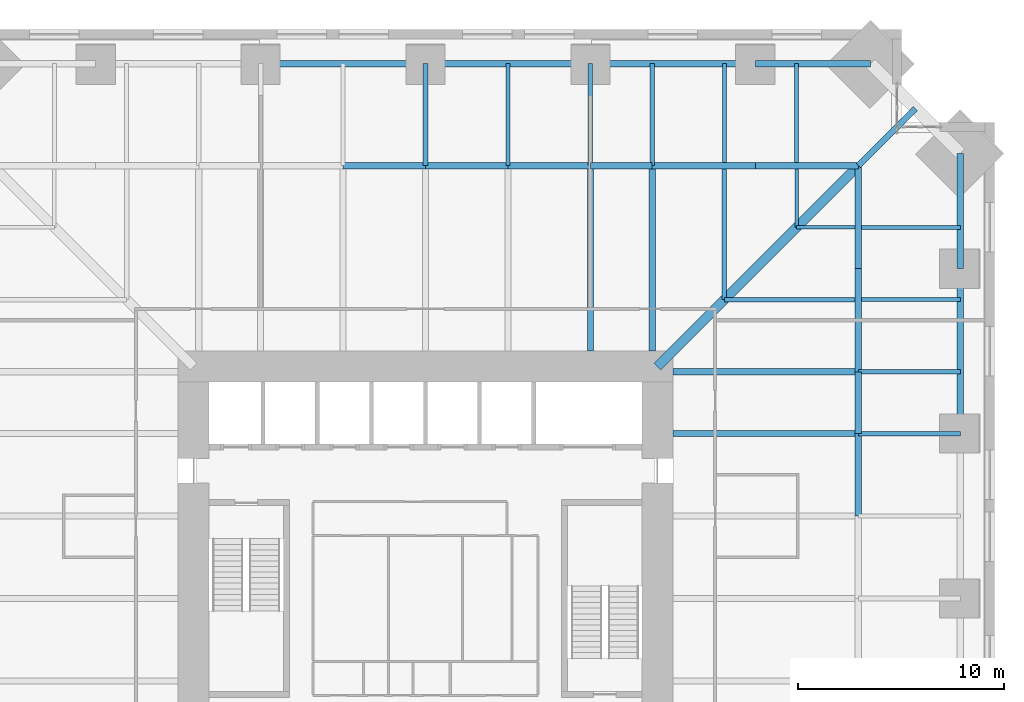
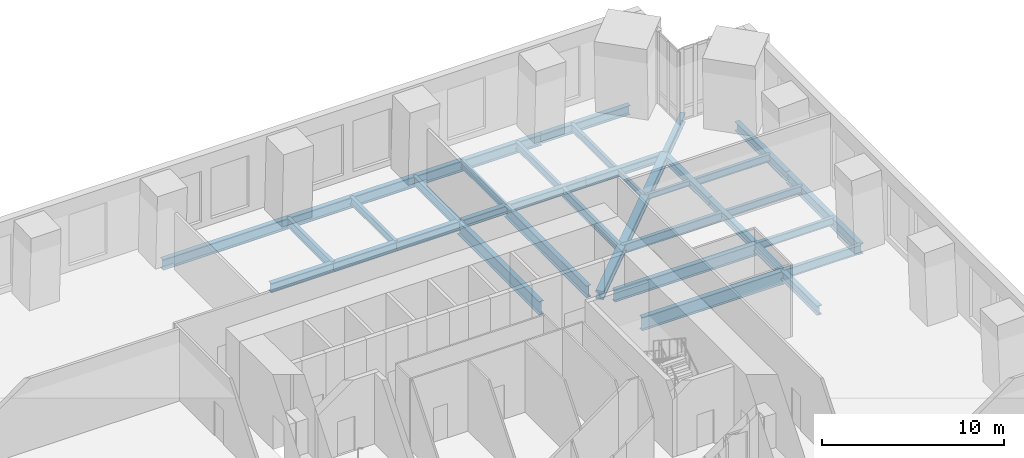
# One storey, part 7 of 18: 36 beams.
"""IFC4 building model written with IfcOpenShell, lengths in metres."""

from ifc_helpers import new_model, si_unit, direction, frame, origin, origin_2d, place, context, subcontext, project, spatial, i_section, extrude, material, material_profile, profile_set, type_object, element, save


model = new_model("IFC4")

# Units and contexts
model_context = context("Model", 3, precision=1e-05, world=origin(), true_north=direction((0.0, 1.0)))
body_context = subcontext(model_context, "Body", "Model", "MODEL_VIEW")
ifc_project = project(units=[si_unit("LENGTHUNIT", "METRE"), si_unit("AREAUNIT", "SQUARE_METRE"), si_unit("VOLUMEUNIT", "CUBIC_METRE"), si_unit("PLANEANGLEUNIT", "RADIAN"), si_unit("MASSUNIT", "GRAM", prefix="KILO")], contexts=[model_context])

# Site, building, storey
site_placement = place(None, origin())
site = spatial("IfcSite", under=ifc_project, at=site_placement, CompositionType="ELEMENT")
building_placement = place(site_placement, origin())
building = spatial("IfcBuilding", under=site, at=building_placement, Name="Peilmerk Tower", CompositionType="ELEMENT")
storey_placement = place(building_placement, frame((0.0, 0.0, 122.800048828125)))
storey = spatial("IfcBuildingStorey", under=building, at=storey_placement, Name="L24", CompositionType="ELEMENT", Elevation=122.800048828125)

# Beams
ifc_material_1 = material(Name="Steel S355", Category="steel")
ifc_material_profile_1 = material_profile(ifc_material_1, i_section(OverallWidth=0.219970703125, OverallDepth=0.60009765625, WebThickness=0.011962890625, FlangeThickness=0.01904296875, at=origin_2d()), Name="IPE 600")
ifc_profile_set_1 = profile_set([ifc_material_profile_1], Name="Steel S355")
beam_type_1 = type_object("IfcBeamType", Name="B10 IPE 600 floor beam", PredefinedType="BEAM", material=ifc_profile_set_1)
for number, where, z_axis, x_axis, name in (
    (1, (8.0, 21.0, -0.5), (0.0, 1.0, 0.0), (-1.0, 0.0, 0.0), "Floor girder L24"),
    (2, (0.0, 21.0, -0.5), (0.0, 1.0, 0.0), (-1.0, 0.0, 0.0), "Floor girder L24"),
    (3, (21.0, 8.0, -0.5), (1.0, 0.0, 0.0), (0.0, 1.0, 0.0), "Floor girder L24"),
):
    element("IfcBeam", number, at=place(storey_placement, frame(where, z_axis=z_axis, x_axis=x_axis)), inside=storey, type_object=beam_type_1, Name=name, PredefinedType="BEAM", context=body_context, shape_type="SweptSolid", body=[
        extrude(i_section(OverallWidth=0.219970703125, OverallDepth=0.60009765625, WebThickness=0.011962890625, FlangeThickness=0.01904296875, at=origin_2d()), origin(), (0.0, 0.0, 1.0), 4.945068359375),
    ])
for number, where, z_axis, x_axis, name in (
    (4, (14.5, 14.5, -0.5), (0.0, 1.0, 0.0), (-1.0, 0.0, 0.0), "Floor beam L24"),
    (5, (14.5, 14.5, -0.5), (1.0, 0.0, 0.0), (0.0, 1.0, 0.0), "Floor beam L24"),
):
    element("IfcBeam", number, at=place(storey_placement, frame(where, z_axis=z_axis, x_axis=x_axis)), inside=storey, type_object=beam_type_1, Name=name, PredefinedType="BEAM", context=body_context, shape_type="SweptSolid", body=[
        extrude(i_section(OverallWidth=0.219970703125, OverallDepth=0.60009765625, WebThickness=0.011962890625, FlangeThickness=0.01904296875, at=origin_2d()), origin(), (0.0, 0.0, 1.0), 6.346923828125),
    ])
ifc_material_profile_2 = material_profile(ifc_material_1, i_section(OverallWidth=0.169921875, OverallDepth=0.360107421875, WebThickness=0.008056640625, FlangeThickness=0.0126953125, at=origin_2d()), Name="IPE 360")
ifc_profile_set_2 = profile_set([ifc_material_profile_2], Name="Steel S355")
beam_type_2 = type_object("IfcBeamType", Name="B11 IPE 360 floor beam", PredefinedType="BEAM", material=ifc_profile_set_2)
for number, where, z_axis, x_axis, name in (
    (6, (18.0, 18.0, -0.380126953125), (0.0, 1.0, 0.0), (-1.0, 0.0, 0.0), "Floor beam L24"),
    (7, (18.0, 18.0, -0.380126953125), (1.0, 0.0, 0.0), (0.0, 1.0, 0.0), "Floor beam L24"),
):
    element("IfcBeam", number, at=place(storey_placement, frame(where, z_axis=z_axis, x_axis=x_axis)), inside=storey, type_object=beam_type_2, Name=name, PredefinedType="BEAM", context=body_context, shape_type="SweptSolid", body=[
        extrude(i_section(OverallWidth=0.169921875, OverallDepth=0.360107421875, WebThickness=0.008056640625, FlangeThickness=0.0126953125, at=origin_2d()), origin(), (0.0, 0.0, 1.0), 2.846923828125),
    ])
ifc_material_profile_3 = material_profile(ifc_material_1, i_section(OverallWidth=0.300048828125, OverallDepth=0.7900390625, WebThickness=0.014892578125, FlangeThickness=0.028076171875, at=origin_2d()), Name="HEA 800")
ifc_profile_set_3 = profile_set([ifc_material_profile_3], Name="Steel S355")
beam_type_3 = type_object("IfcBeamType", Name="B3 HEA 800 floor beam", PredefinedType="BEAM", material=ifc_profile_set_3)
for number, where, z_axis, x_axis, name in (
    (8, (11.0, 12.0, -0.594970703125), (0.0, 1.0, 0.0), (-1.0, 0.0, 0.0), "Floor beam L24"),
    (9, (12.0, 11.0, -0.594970703125), (1.0, 0.0, 0.0), (0.0, 1.0, 0.0), "Floor beam L24"),
):
    element("IfcBeam", number, at=place(storey_placement, frame(where, z_axis=z_axis, x_axis=x_axis)), inside=storey, type_object=beam_type_3, Name=name, PredefinedType="BEAM", context=body_context, shape_type="SweptSolid", body=[
        extrude(i_section(OverallWidth=0.300048828125, OverallDepth=0.7900390625, WebThickness=0.014892578125, FlangeThickness=0.028076171875, at=origin_2d()), origin(), (0.0, 0.0, 1.0), 9.0),
    ])
ifc_material_profile_4 = material_profile(ifc_material_1, i_section(OverallWidth=0.303955078125, OverallDepth=0.716064453125, WebThickness=0.02099609375, FlangeThickness=0.0400390625, at=origin_2d()), Name="HEM 700")
ifc_profile_set_4 = profile_set([ifc_material_profile_4], Name="Steel S355")
beam_type_4 = type_object("IfcBeamType", Name="B30 HEM 700 edge beam", PredefinedType="SPANDREL", material=ifc_profile_set_4)
for number, where, z_axis, x_axis, name in (
    (10, (16.0, 25.945068359375, -0.55810546875), (-1.0, 0.0, 0.0), (0.0, -1.0, 0.0), "Edge beam L24"),
    (11, (8.0, 25.945068359375, -0.55810546875), (-1.0, 0.0, 0.0), (0.0, -1.0, 0.0), "Edge beam L24"),
    (12, (0.0, 25.945068359375, -0.55810546875), (-1.0, 0.0, 0.0), (0.0, -1.0, 0.0), "Edge beam L24"),
    (13, (25.945068359375, 8.0, -0.55810546875), (0.0, 1.0, 0.0), (-1.0, 0.0, 0.0), "Edge beam L24"),
):
    element("IfcBeam", number, at=place(storey_placement, frame(where, z_axis=z_axis, x_axis=x_axis)), inside=storey, type_object=beam_type_4, Name=name, PredefinedType="SPANDREL", context=body_context, shape_type="SweptSolid", body=[
        extrude(i_section(OverallWidth=0.303955078125, OverallDepth=0.716064453125, WebThickness=0.02099609375, FlangeThickness=0.0400390625, at=origin_2d()), origin(), (0.0, 0.0, 1.0), 8.0),
    ])
ifc_material_profile_5 = material_profile(ifc_material_1, i_section(OverallWidth=0.304931640625, OverallDepth=0.6201171875, WebThickness=0.02099609375, FlangeThickness=0.0400390625, at=origin_2d()), Name="HEM 600")
ifc_profile_set_5 = profile_set([ifc_material_profile_5], Name="Steel S355")
beam_type_5 = type_object("IfcBeamType", Name="B31 HEM 600 edge beam", PredefinedType="SPANDREL", material=ifc_profile_set_5)
for number, where, z_axis, x_axis, name in (
    (14, (21.59521484375, 25.945068359375, -0.510009765625), (-1.0, 0.0, 0.0), (0.0, -1.0, 0.0), "Edge beam L24"),
    (15, (25.945068359375, 16.0, -0.510009765625), (0.0, 1.0, 0.0), (-1.0, 0.0, 0.0), "Edge beam L24"),
):
    element("IfcBeam", number, at=place(storey_placement, frame(where, z_axis=z_axis, x_axis=x_axis)), inside=storey, type_object=beam_type_5, Name=name, PredefinedType="SPANDREL", context=body_context, shape_type="SweptSolid", body=[
        extrude(i_section(OverallWidth=0.304931640625, OverallDepth=0.6201171875, WebThickness=0.02099609375, FlangeThickness=0.0400390625, at=origin_2d()), origin(), (0.0, 0.0, 1.0), 5.59521484375),
    ])
ifc_material_profile_6 = material_profile(ifc_material_1, i_section(OverallWidth=0.199951171875, OverallDepth=0.5, WebThickness=0.01025390625, FlangeThickness=0.01611328125, at=origin_2d()), Name="IPE 500")
ifc_profile_set_6 = profile_set([ifc_material_profile_6], Name="Steel S355")
beam_type_6 = type_object("IfcBeamType", Name="B32 IPE 500 floor beam", PredefinedType="BEAM", material=ifc_profile_set_6)
for number, where, z_axis, x_axis, name in (
    (16, (11.0, 21.0, -0.449951171875), (0.0, 1.0, 0.0), (-1.0, 0.0, 0.0), "Floor beam L24"),
    (17, (4.0, 21.0, -0.449951171875), (0.0, 1.0, 0.0), (-1.0, 0.0, 0.0), "Floor beam L24"),
    (18, (21.0, 11.0, -0.449951171875), (1.0, 0.0, 0.0), (0.0, 1.0, 0.0), "Floor beam L24"),
):
    element("IfcBeam", number, at=place(storey_placement, frame(where, z_axis=z_axis, x_axis=x_axis)), inside=storey, type_object=beam_type_6, Name=name, PredefinedType="BEAM", context=body_context, shape_type="SweptSolid", body=[
        extrude(i_section(OverallWidth=0.199951171875, OverallDepth=0.5, WebThickness=0.01025390625, FlangeThickness=0.01611328125, at=origin_2d()), origin(), (0.0, 0.0, 1.0), 4.945068359375),
    ])
for number, where, z_axis, x_axis, name in (
    (19, (14.5, 21.153076171875, -0.449951171875), (0.0, 1.0, 0.0), (-1.0, 0.0, 0.0), "Floor beam L24"),
    (20, (21.153076171875, 14.5, -0.449951171875), (1.0, 0.0, 0.0), (0.0, 1.0, 0.0), "Floor beam L24"),
    (21, (18.0, 21.153076171875, -0.449951171875), (0.0, 1.0, 0.0), (-1.0, 0.0, 0.0), "Floor beam L24"),
    (22, (21.153076171875, 18.0, -0.449951171875), (1.0, 0.0, 0.0), (0.0, 1.0, 0.0), "Floor beam L24"),
):
    element("IfcBeam", number, at=place(storey_placement, frame(where, z_axis=z_axis, x_axis=x_axis)), inside=storey, type_object=beam_type_6, Name=name, PredefinedType="BEAM", context=body_context, shape_type="SweptSolid", body=[
        extrude(i_section(OverallWidth=0.199951171875, OverallDepth=0.5, WebThickness=0.01025390625, FlangeThickness=0.01611328125, at=origin_2d()), origin(), (0.0, 0.0, 1.0), 4.7919921875),
    ])
ifc_material_profile_7 = material_profile(ifc_material_1, i_section(OverallWidth=0.300048828125, OverallDepth=0.889892578125, WebThickness=0.01611328125, FlangeThickness=0.030029296875, at=origin_2d()), Name="HEA 900")
ifc_profile_set_7 = profile_set([ifc_material_profile_7], Name="Steel S355")
beam_type_7 = type_object("IfcBeamType", Name="B4 HEA 900 floor beam", PredefinedType="BEAM", material=ifc_profile_set_7)
for number, where, z_axis, x_axis, name in (
    (23, (8.0, 12.0, -0.64501953125), (0.0, 1.0, 0.0), (-1.0, 0.0, 0.0), "Floor girder L24"),
    (24, (12.0, 8.0, -0.64501953125), (1.0, 0.0, 0.0), (0.0, 1.0, 0.0), "Floor girder L24"),
):
    element("IfcBeam", number, at=place(storey_placement, frame(where, z_axis=z_axis, x_axis=x_axis)), inside=storey, type_object=beam_type_7, Name=name, PredefinedType="BEAM", context=body_context, shape_type="SweptSolid", body=[
        extrude(i_section(OverallWidth=0.300048828125, OverallDepth=0.889892578125, WebThickness=0.01611328125, FlangeThickness=0.030029296875, at=origin_2d()), origin(), (0.0, 0.0, 1.0), 9.0),
    ])
ifc_material_profile_8 = material_profile(ifc_material_1, i_section(OverallWidth=0.304931640625, OverallDepth=0.6201171875, WebThickness=0.02099609375, FlangeThickness=0.0400390625, at=origin_2d()), Name="HEM 600")
ifc_profile_set_8 = profile_set([ifc_material_profile_8], Name="Steel S355")
beam_type_8 = type_object("IfcBeamType", Name="B6 HEM 600 ring girder", PredefinedType="BEAM", material=ifc_profile_set_8)
for number, where, z_axis, x_axis, name in (
    (25, (8.0, 21.0, -0.510009765625), (-1.0, 0.0, 0.0), (0.0, -1.0, 0.0), "Ring girder L24"),
    (26, (4.0, 21.0, -0.510009765625), (-1.0, 0.0, 0.0), (0.0, -1.0, 0.0), "Ring girder L24"),
    (27, (0.0, 21.0, -0.510009765625), (-1.0, 0.0, 0.0), (0.0, -1.0, 0.0), "Ring girder L24"),
    (28, (21.0, 4.0, -0.510009765625), (0.0, 1.0, 0.0), (-1.0, 0.0, 0.0), "Ring girder L24"),
):
    element("IfcBeam", number, at=place(storey_placement, frame(where, z_axis=z_axis, x_axis=x_axis)), inside=storey, type_object=beam_type_8, Name=name, PredefinedType="BEAM", context=body_context, shape_type="SweptSolid", body=[
        extrude(i_section(OverallWidth=0.304931640625, OverallDepth=0.6201171875, WebThickness=0.02099609375, FlangeThickness=0.0400390625, at=origin_2d()), origin(), (0.0, 0.0, 1.0), 4.0),
    ])
beam_1_placement = place(storey_placement, frame((21.0, 21.0, -0.510009765625), z_axis=(0.707106781187, 0.707106781187, 0.0), x_axis=(-0.707106781187, 0.707106781187, 0.0)))
element("IfcBeam", 29, at=beam_1_placement, inside=storey, type_object=beam_type_8, Name="Corner girder L24", PredefinedType="BEAM", context=body_context, shape_type="SweptSolid", body=[
    extrude(i_section(OverallWidth=0.304931640625, OverallDepth=0.6201171875, WebThickness=0.02099609375, FlangeThickness=0.0400390625, at=origin_2d()), origin(), (0.0, 0.0, 1.0), 3.917724609375),
])
ifc_material_profile_9 = material_profile(ifc_material_1, i_section(OverallWidth=0.305908203125, OverallDepth=0.52392578125, WebThickness=0.02099609375, FlangeThickness=0.0400390625, at=origin_2d()), Name="HEM 500")
ifc_profile_set_9 = profile_set([ifc_material_profile_9], Name="Steel S355")
beam_type_9 = type_object("IfcBeamType", Name="B7 HEM 500 ring girder", PredefinedType="BEAM", material=ifc_profile_set_9)
for number, where, z_axis, x_axis, name in (
    (30, (21.0, 21.0, -0.462158203125), (-1.0, 0.0, 0.0), (0.0, -1.0, 0.0), "Ring girder L24"),
    (31, (16.0, 21.0, -0.462158203125), (-1.0, 0.0, 0.0), (0.0, -1.0, 0.0), "Ring girder L24"),
):
    element("IfcBeam", number, at=place(storey_placement, frame(where, z_axis=z_axis, x_axis=x_axis)), inside=storey, type_object=beam_type_9, Name=name, PredefinedType="BEAM", context=body_context, shape_type="SweptSolid", body=[
        extrude(i_section(OverallWidth=0.305908203125, OverallDepth=0.52392578125, WebThickness=0.02099609375, FlangeThickness=0.0400390625, at=origin_2d()), origin(), (0.0, 0.0, 1.0), 5.0),
    ])
for number, where, z_axis, x_axis, name in (
    (32, (11.0, 21.0, -0.462158203125), (-1.0, 0.0, 0.0), (0.0, -1.0, 0.0), "Ring girder L24"),
    (33, (21.0, 8.0, -0.462158203125), (0.0, 1.0, 0.0), (-1.0, 0.0, 0.0), "Ring girder L24"),
):
    element("IfcBeam", number, at=place(storey_placement, frame(where, z_axis=z_axis, x_axis=x_axis)), inside=storey, type_object=beam_type_9, Name=name, PredefinedType="BEAM", context=body_context, shape_type="SweptSolid", body=[
        extrude(i_section(OverallWidth=0.305908203125, OverallDepth=0.52392578125, WebThickness=0.02099609375, FlangeThickness=0.0400390625, at=origin_2d()), origin(), (0.0, 0.0, 1.0), 3.0),
    ])
for number, where, z_axis, x_axis, name in (
    (34, (21.0, 11.0, -0.462158203125), (0.0, 1.0, 0.0), (-1.0, 0.0, 0.0), "Ring girder L24"),
    (35, (21.0, 16.0, -0.462158203125), (0.0, 1.0, 0.0), (-1.0, 0.0, 0.0), "Ring girder L24"),
):
    element("IfcBeam", number, at=place(storey_placement, frame(where, z_axis=z_axis, x_axis=x_axis)), inside=storey, type_object=beam_type_9, Name=name, PredefinedType="BEAM", context=body_context, shape_type="SweptSolid", body=[
        extrude(i_section(OverallWidth=0.305908203125, OverallDepth=0.52392578125, WebThickness=0.02099609375, FlangeThickness=0.0400390625, at=origin_2d()), origin(), (0.0, 0.0, 1.0), 5.0),
    ])
ifc_material_2 = material(Name="Steel S460", Category="steel")
ifc_material_profile_10 = material_profile(ifc_material_2, i_section(OverallWidth=0.4541015625, OverallDepth=0.569091796875, WebThickness=0.077880859375, FlangeThickness=0.125, at=origin_2d()), Name="HD 400x1086")
ifc_profile_set_10 = profile_set([ifc_material_profile_10], Name="Steel S460")
beam_type_10 = type_object("IfcBeamType", Name="B9 HD 400x1086 corner girder", PredefinedType="BEAM", material=ifc_profile_set_10)
beam_2_placement = place(storey_placement, frame((11.25, 11.25, -0.484619140625), z_axis=(0.707106781187, 0.707106781187, 0.0), x_axis=(-0.707106781187, 0.707106781187, 0.0)))
element("IfcBeam", 36, at=beam_2_placement, inside=storey, type_object=beam_type_10, Name="Corner girder L24", PredefinedType="BEAM", context=body_context, shape_type="SweptSolid", body=[
    extrude(i_section(OverallWidth=0.4541015625, OverallDepth=0.569091796875, WebThickness=0.077880859375, FlangeThickness=0.125, at=origin_2d()), origin(), (0.0, 0.0, 1.0), 13.78857421875),
])

save(model, "model.ifc")
